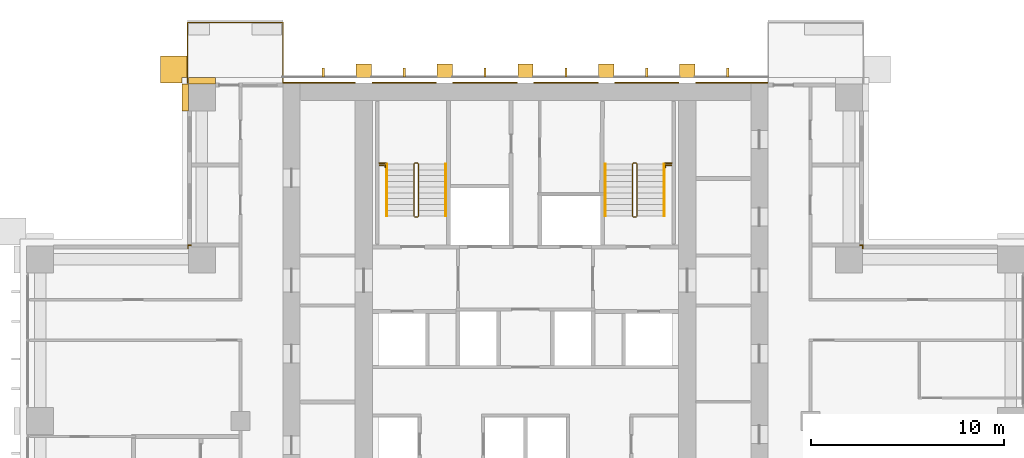
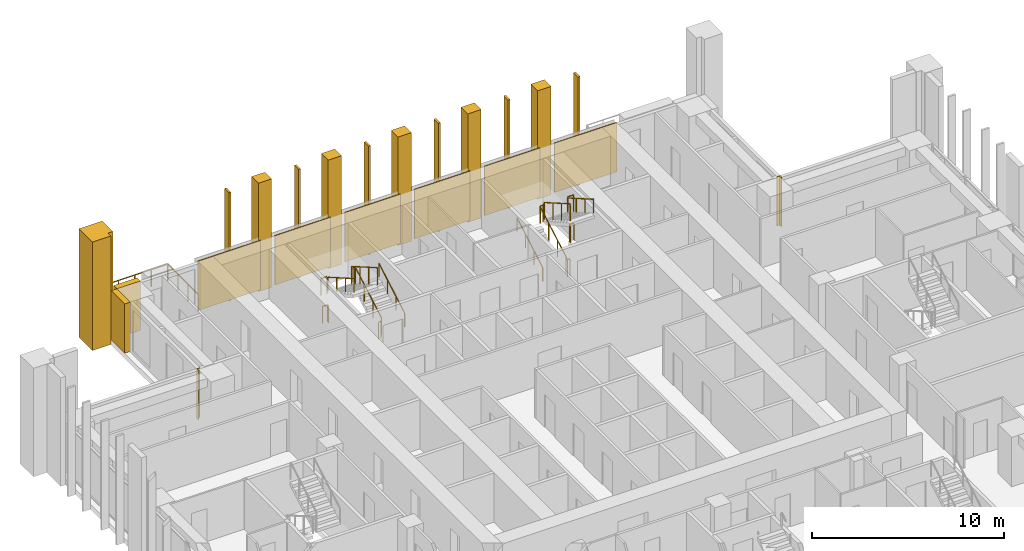
# One storey, part 18 of 19: 22 coverings, 11 railings.
"""IFC4 building model written with IfcOpenShell, lengths in metres."""

from ifc_helpers import new_model, si_unit, direction, frame, origin, origin_2d, place, context, subcontext, project, spatial, polyline, rectangle, outline, extrude, material, layer, layer_set, type_object, element, save


model = new_model("IFC4")

# Units and contexts
model_context = context("Model", 3, precision=1e-05, world=origin(), true_north=direction((0.0, 1.0)))
body_context = subcontext(model_context, "Body", "Model", "MODEL_VIEW")
ifc_project = project(units=[si_unit("LENGTHUNIT", "METRE"), si_unit("AREAUNIT", "SQUARE_METRE"), si_unit("VOLUMEUNIT", "CUBIC_METRE"), si_unit("PLANEANGLEUNIT", "RADIAN"), si_unit("MASSUNIT", "GRAM", prefix="KILO")], contexts=[model_context])

# Site, building, storey
site_placement = place(None, origin())
site = spatial("IfcSite", under=ifc_project, at=site_placement, CompositionType="ELEMENT")
building_placement = place(site_placement, origin())
building = spatial("IfcBuilding", under=site, at=building_placement, Name="Vermilion Ogive Tower", CompositionType="ELEMENT")
storey_placement = place(building_placement, frame((0.0, 0.0, 62.10009765625)))
storey = spatial("IfcBuildingStorey", under=building, at=storey_placement, Name="L14", CompositionType="ELEMENT", Elevation=62.10009765625)

# Railing
ifc_material_1 = material(Name="Stainless steel and glass", Category="steel")
railing_type_1 = type_object("IfcRailingType", Name="Balcony guard", PredefinedType="GUARDRAIL", material=ifc_material_1)
railing_1_placement = place(storey_placement, frame((-12.60009765625, 21.75, -0.0400390625)))
element("IfcRailing", 1, at=railing_1_placement, inside=storey, type_object=railing_type_1, Name="Guard N201", PredefinedType="GUARDRAIL", context=body_context, shape_type="SweptSolid", body=[
    extrude(rectangle(XDim=0.048095703125, YDim=0.048095703125, at=origin_2d()), frame((0.0, 0.0, 1.076171875), z_axis=(0.0, 1.0, 0.0), x_axis=(-1.0, 0.0, 0.0)), (0.0, 0.0, 1.0), 3.159912109375),
    extrude(rectangle(XDim=0.048095703125, YDim=0.048095703125, at=origin_2d()), frame((0.0, 3.159912109375, 1.076171875), z_axis=(-1.0, 0.0, 0.0), x_axis=(0.0, -1.0, 0.0)), (0.0, 0.0, 1.0), 4.949951171875),
    extrude(rectangle(XDim=0.048095703125, YDim=0.048095703125, at=origin_2d()), frame((-4.949951171875, 3.159912109375, 1.076171875), z_axis=(0.0, -1.0, 0.0), x_axis=(1.0, 0.0, 0.0)), (0.0, 0.0, 1.0), 3.159912109375),
    extrude(rectangle(XDim=0.0419921875, YDim=0.0419921875, at=origin_2d()), origin(), (0.0, 0.0, 1.0), 1.052001953125),
    extrude(rectangle(XDim=0.0419921875, YDim=0.0419921875, at=origin_2d()), frame((0.0, 1.05322265625, 0.0)), (0.0, 0.0, 1.0), 1.052001953125),
    extrude(rectangle(XDim=0.0419921875, YDim=0.0419921875, at=origin_2d()), frame((0.0, 2.106689453125, 0.0)), (0.0, 0.0, 1.0), 1.052001953125),
    extrude(rectangle(XDim=0.0419921875, YDim=0.0419921875, at=origin_2d()), frame((0.0, 3.159912109375, 0.0)), (0.0, 0.0, 1.0), 1.052001953125),
    extrude(rectangle(XDim=0.0419921875, YDim=0.0419921875, at=origin_2d()), frame((-0.989990234375, 3.159912109375, 0.0)), (0.0, 0.0, 1.0), 1.052001953125),
    extrude(rectangle(XDim=0.0419921875, YDim=0.0419921875, at=origin_2d()), frame((-1.97998046875, 3.159912109375, 0.0)), (0.0, 0.0, 1.0), 1.052001953125),
    extrude(rectangle(XDim=0.0419921875, YDim=0.0419921875, at=origin_2d()), frame((-2.969970703125, 3.159912109375, 0.0)), (0.0, 0.0, 1.0), 1.052001953125),
    extrude(rectangle(XDim=0.0419921875, YDim=0.0419921875, at=origin_2d()), frame((-3.9599609375, 3.159912109375, 0.0)), (0.0, 0.0, 1.0), 1.052001953125),
    extrude(rectangle(XDim=0.0419921875, YDim=0.0419921875, at=origin_2d()), frame((-4.949951171875, 3.159912109375, 0.0)), (0.0, 0.0, 1.0), 1.052001953125),
    extrude(rectangle(XDim=0.0419921875, YDim=0.0419921875, at=origin_2d()), frame((-4.949951171875, 2.106689453125, 0.0)), (0.0, 0.0, 1.0), 1.052001953125),
    extrude(rectangle(XDim=0.0419921875, YDim=0.0419921875, at=origin_2d()), frame((-4.949951171875, 1.05322265625, 0.0)), (0.0, 0.0, 1.0), 1.052001953125),
    extrude(rectangle(XDim=0.0419921875, YDim=0.0419921875, at=origin_2d()), frame((-4.949951171875, 0.0, 0.0)), (0.0, 0.0, 1.0), 1.052001953125),
])

# Coverings
ifc_material_2 = material(Name="Glazed ceramic screen")
ifc_layer = layer(ifc_material_2, 0.14990234375)
ifc_layer_set = layer_set([ifc_layer], Name="Ceramic solar screen fin")
covering_type_1 = type_object("IfcCoveringType", Name="Ceramic solar screen fin", PredefinedType="CLADDING", material=ifc_layer_set)
covering_1_placement = place(storey_placement, frame((0.0, 0.0, -0.320068359375)))
element("IfcCovering", 2, at=covering_1_placement, inside=storey, type_object=covering_type_1, Name="Solar screen blade N1", PredefinedType="CLADDING", context=body_context, shape_type="SweptSolid", body=[
    extrude(outline(polyline([(-10.56005859375, 22.08203125), (-10.43994140625, 22.08203125), (-10.43994140625, 22.531982421875), (-10.56005859375, 22.531982421875), (-10.56005859375, 22.08203125)])), origin(), (0.0, 0.0, 1.0), 6.89990234375),
])
covering_2_placement = place(storey_placement, frame((0.0, 0.0, -0.320068359375)))
element("IfcCovering", 3, at=covering_2_placement, inside=storey, type_object=covering_type_1, Name="Solar screen blade N2", PredefinedType="CLADDING", context=body_context, shape_type="SweptSolid", body=[
    extrude(outline(polyline([(-6.360107421875, 22.08203125), (-6.239990234375, 22.08203125), (-6.239990234375, 22.531982421875), (-6.360107421875, 22.531982421875), (-6.360107421875, 22.08203125)])), origin(), (0.0, 0.0, 1.0), 6.89990234375),
])
covering_3_placement = place(storey_placement, frame((0.0, 0.0, -0.320068359375)))
element("IfcCovering", 4, at=covering_3_placement, inside=storey, type_object=covering_type_1, Name="Solar screen blade N3", PredefinedType="CLADDING", context=body_context, shape_type="SweptSolid", body=[
    extrude(outline(polyline([(-2.159912109375, 22.08203125), (-2.0400390625, 22.08203125), (-2.0400390625, 22.531982421875), (-2.159912109375, 22.531982421875), (-2.159912109375, 22.08203125)])), origin(), (0.0, 0.0, 1.0), 6.89990234375),
])
covering_4_placement = place(storey_placement, frame((0.0, 0.0, -0.320068359375)))
element("IfcCovering", 5, at=covering_4_placement, inside=storey, type_object=covering_type_1, Name="Solar screen blade N4", PredefinedType="CLADDING", context=body_context, shape_type="SweptSolid", body=[
    extrude(outline(polyline([(2.0400390625, 22.08203125), (2.159912109375, 22.08203125), (2.159912109375, 22.531982421875), (2.0400390625, 22.531982421875), (2.0400390625, 22.08203125)])), origin(), (0.0, 0.0, 1.0), 6.89990234375),
])
covering_5_placement = place(storey_placement, frame((0.0, 0.0, -0.320068359375)))
element("IfcCovering", 6, at=covering_5_placement, inside=storey, type_object=covering_type_1, Name="Solar screen blade N5", PredefinedType="CLADDING", context=body_context, shape_type="SweptSolid", body=[
    extrude(outline(polyline([(6.239990234375, 22.08203125), (6.360107421875, 22.08203125), (6.360107421875, 22.531982421875), (6.239990234375, 22.531982421875), (6.239990234375, 22.08203125)])), origin(), (0.0, 0.0, 1.0), 6.89990234375),
])
covering_6_placement = place(storey_placement, frame((0.0, 0.0, -0.320068359375)))
element("IfcCovering", 7, at=covering_6_placement, inside=storey, type_object=covering_type_1, Name="Solar screen blade N6", PredefinedType="CLADDING", context=body_context, shape_type="SweptSolid", body=[
    extrude(outline(polyline([(10.43994140625, 22.08203125), (10.56005859375, 22.08203125), (10.56005859375, 22.531982421875), (10.43994140625, 22.531982421875), (10.43994140625, 22.08203125)])), origin(), (0.0, 0.0, 1.0), 6.89990234375),
])

# Railings
ifc_material_3 = material(Name="Steel S355 painted", Category="steel")
railing_type_2 = type_object("IfcRailingType", Name="Stair guard 1100", PredefinedType="GUARDRAIL", material=ifc_material_3)
railing_2_placement = place(storey_placement, frame((-5.75, 14.800048828125, 0.0)))
element("IfcRailing", 8, at=railing_2_placement, inside=storey, type_object=railing_type_2, Name="L14 ST1 stair guard 4", PredefinedType="GUARDRAIL", context=body_context, shape_type="SweptSolid", body=[
    extrude(rectangle(XDim=0.048095703125, YDim=0.048095703125, at=origin_2d()), frame((0.0, 0.0, 1.076171875), z_axis=(1.0, 0.0, 0.0), x_axis=(0.0, 1.0, 0.0)), (0.0, 0.0, 1.0), 0.14990234375),
    extrude(rectangle(XDim=0.048095703125, YDim=0.048095703125, at=origin_2d()), frame((0.14990234375, 0.0, 1.076171875), z_axis=(0.268603158521, 0.268603158521, 0.925043072762), x_axis=(-0.707106781187, 0.707106781187, 0.0)), (0.0, 0.0, 1.0), 0.186279296875),
    extrude(rectangle(XDim=0.048095703125, YDim=0.048095703125, at=origin_2d()), frame((0.199951171875, 0.050048828125, 1.24853515625), z_axis=(0.0, 0.866903762492, 0.498475542607), x_axis=(-1.0, 0.0, 0.0)), (0.0, 0.0, 1.0), 3.114501953125),
    extrude(rectangle(XDim=0.048095703125, YDim=0.048095703125, at=origin_2d()), frame((0.199951171875, 2.75, 2.80078125), z_axis=(-0.707106781187, 0.707106781187, 0.0), x_axis=(-0.707106781187, -0.707106781187, 0.0)), (0.0, 0.0, 1.0), 0.07080078125),
    extrude(rectangle(XDim=0.048095703125, YDim=0.048095703125, at=origin_2d()), frame((0.14990234375, 2.800048828125, 2.80078125), z_axis=(-1.0, 0.0, 0.0), x_axis=(0.0, -1.0, 0.0)), (0.0, 0.0, 1.0), 0.14990234375),
    extrude(rectangle(XDim=0.048095703125, YDim=0.048095703125, at=origin_2d()), frame((0.0, 2.800048828125, 2.80078125), z_axis=(-0.268277960024, -0.268277960024, 0.925231793839), x_axis=(0.707106781187, -0.707106781187, 0.0)), (0.0, 0.0, 1.0), 0.1865234375),
    extrude(rectangle(XDim=0.048095703125, YDim=0.048095703125, at=origin_2d()), frame((-0.050048828125, 2.75, 2.9736328125), z_axis=(0.0, -0.866903762492, 0.498475542607), x_axis=(1.0, 0.0, 0.0)), (0.0, 0.0, 1.0), 3.114501953125),
    extrude(rectangle(XDim=0.0419921875, YDim=0.0419921875, at=origin_2d()), origin(), (0.0, 0.0, 1.0), 1.052001953125),
    extrude(rectangle(XDim=0.0419921875, YDim=0.0419921875, at=origin_2d()), frame((0.14990234375, 0.0, 0.0)), (0.0, 0.0, 1.0), 1.052001953125),
    extrude(rectangle(XDim=0.0419921875, YDim=0.0419921875, at=origin_2d()), frame((0.199951171875, 0.050048828125, 0.17236328125)), (0.0, 0.0, 1.0), 1.052001953125),
    extrude(rectangle(XDim=0.0419921875, YDim=0.0419921875, at=origin_2d()), frame((0.199951171875, 0.949951171875, 0.68994140625)), (0.0, 0.0, 1.0), 1.052001953125),
    extrude(rectangle(XDim=0.0419921875, YDim=0.0419921875, at=origin_2d()), frame((0.199951171875, 1.85009765625, 1.207275390625)), (0.0, 0.0, 1.0), 1.052001953125),
    extrude(rectangle(XDim=0.0419921875, YDim=0.0419921875, at=origin_2d()), frame((0.199951171875, 2.75, 1.724853515625)), (0.0, 0.0, 1.0), 1.052001953125),
    extrude(rectangle(XDim=0.0419921875, YDim=0.0419921875, at=origin_2d()), frame((0.14990234375, 2.800048828125, 1.724853515625)), (0.0, 0.0, 1.0), 1.052001953125),
    extrude(rectangle(XDim=0.0419921875, YDim=0.0419921875, at=origin_2d()), frame((0.0, 2.800048828125, 1.724853515625)), (0.0, 0.0, 1.0), 1.052001953125),
    extrude(rectangle(XDim=0.0419921875, YDim=0.0419921875, at=origin_2d()), frame((-0.050048828125, 2.75, 1.8974609375)), (0.0, 0.0, 1.0), 1.052001953125),
    extrude(rectangle(XDim=0.0419921875, YDim=0.0419921875, at=origin_2d()), frame((-0.050048828125, 1.85009765625, 2.4150390625)), (0.0, 0.0, 1.0), 1.052001953125),
    extrude(rectangle(XDim=0.0419921875, YDim=0.0419921875, at=origin_2d()), frame((-0.050048828125, 0.949951171875, 2.932373046875)), (0.0, 0.0, 1.0), 1.052001953125),
    extrude(rectangle(XDim=0.0419921875, YDim=0.0419921875, at=origin_2d()), frame((-0.050048828125, 0.050048828125, 3.449951171875)), (0.0, 0.0, 1.0), 1.052001953125),
])
railing_3_placement = place(storey_placement, frame((5.75, 14.800048828125, 0.0)))
element("IfcRailing", 9, at=railing_3_placement, inside=storey, type_object=railing_type_2, Name="L14 ST2 stair guard 4", PredefinedType="GUARDRAIL", context=body_context, shape_type="SweptSolid", body=[
    extrude(rectangle(XDim=0.048095703125, YDim=0.048095703125, at=origin_2d()), frame((0.0, 0.0, 1.076171875), z_axis=(-1.0, 0.0, 0.0), x_axis=(0.0, -1.0, 0.0)), (0.0, 0.0, 1.0), 0.14990234375),
    extrude(rectangle(XDim=0.048095703125, YDim=0.048095703125, at=origin_2d()), frame((-0.14990234375, 0.0, 1.076171875), z_axis=(-0.268603158521, 0.268603158521, 0.925043072762), x_axis=(-0.707106781187, -0.707106781187, 0.0)), (0.0, 0.0, 1.0), 0.186279296875),
    extrude(rectangle(XDim=0.048095703125, YDim=0.048095703125, at=origin_2d()), frame((-0.199951171875, 0.050048828125, 1.24853515625), z_axis=(0.0, 0.866903762492, 0.498475542607), x_axis=(-1.0, 0.0, 0.0)), (0.0, 0.0, 1.0), 3.114501953125),
    extrude(rectangle(XDim=0.048095703125, YDim=0.048095703125, at=origin_2d()), frame((-0.199951171875, 2.75, 2.80078125), z_axis=(0.707106781187, 0.707106781187, 0.0), x_axis=(-0.707106781187, 0.707106781187, 0.0)), (0.0, 0.0, 1.0), 0.07080078125),
    extrude(rectangle(XDim=0.048095703125, YDim=0.048095703125, at=origin_2d()), frame((-0.14990234375, 2.800048828125, 2.80078125), z_axis=(1.0, 0.0, 0.0), x_axis=(0.0, 1.0, 0.0)), (0.0, 0.0, 1.0), 0.14990234375),
    extrude(rectangle(XDim=0.048095703125, YDim=0.048095703125, at=origin_2d()), frame((0.0, 2.800048828125, 2.80078125), z_axis=(0.268277960024, -0.268277960024, 0.925231793839), x_axis=(0.707106781187, 0.707106781187, 0.0)), (0.0, 0.0, 1.0), 0.1865234375),
    extrude(rectangle(XDim=0.048095703125, YDim=0.048095703125, at=origin_2d()), frame((0.050048828125, 2.75, 2.9736328125), z_axis=(0.0, -0.866903762492, 0.498475542607), x_axis=(1.0, 0.0, 0.0)), (0.0, 0.0, 1.0), 3.114501953125),
    extrude(rectangle(XDim=0.0419921875, YDim=0.0419921875, at=origin_2d()), origin(), (0.0, 0.0, 1.0), 1.052001953125),
    extrude(rectangle(XDim=0.0419921875, YDim=0.0419921875, at=origin_2d()), frame((-0.14990234375, 0.0, 0.0)), (0.0, 0.0, 1.0), 1.052001953125),
    extrude(rectangle(XDim=0.0419921875, YDim=0.0419921875, at=origin_2d()), frame((-0.199951171875, 0.050048828125, 0.17236328125)), (0.0, 0.0, 1.0), 1.052001953125),
    extrude(rectangle(XDim=0.0419921875, YDim=0.0419921875, at=origin_2d()), frame((-0.199951171875, 0.949951171875, 0.68994140625)), (0.0, 0.0, 1.0), 1.052001953125),
    extrude(rectangle(XDim=0.0419921875, YDim=0.0419921875, at=origin_2d()), frame((-0.199951171875, 1.85009765625, 1.207275390625)), (0.0, 0.0, 1.0), 1.052001953125),
    extrude(rectangle(XDim=0.0419921875, YDim=0.0419921875, at=origin_2d()), frame((-0.199951171875, 2.75, 1.724853515625)), (0.0, 0.0, 1.0), 1.052001953125),
    extrude(rectangle(XDim=0.0419921875, YDim=0.0419921875, at=origin_2d()), frame((-0.14990234375, 2.800048828125, 1.724853515625)), (0.0, 0.0, 1.0), 1.052001953125),
    extrude(rectangle(XDim=0.0419921875, YDim=0.0419921875, at=origin_2d()), frame((0.0, 2.800048828125, 1.724853515625)), (0.0, 0.0, 1.0), 1.052001953125),
    extrude(rectangle(XDim=0.0419921875, YDim=0.0419921875, at=origin_2d()), frame((0.050048828125, 2.75, 1.8974609375)), (0.0, 0.0, 1.0), 1.052001953125),
    extrude(rectangle(XDim=0.0419921875, YDim=0.0419921875, at=origin_2d()), frame((0.050048828125, 1.85009765625, 2.4150390625)), (0.0, 0.0, 1.0), 1.052001953125),
    extrude(rectangle(XDim=0.0419921875, YDim=0.0419921875, at=origin_2d()), frame((0.050048828125, 0.949951171875, 2.932373046875)), (0.0, 0.0, 1.0), 1.052001953125),
    extrude(rectangle(XDim=0.0419921875, YDim=0.0419921875, at=origin_2d()), frame((0.050048828125, 0.050048828125, 3.449951171875)), (0.0, 0.0, 1.0), 1.052001953125),
])
for number, where, name in (
    (10, (-7.60009765625, 17.60009765625, 1.724853515625), "L14 landing guard"),
    (11, (7.25, 17.60009765625, 1.724853515625), "L14 landing guard"),
):
    element("IfcRailing", number, at=place(storey_placement, frame(where)), inside=storey, type_object=railing_type_2, Name=name, PredefinedType="GUARDRAIL", context=body_context, shape_type="SweptSolid", body=[
        extrude(rectangle(XDim=0.048095703125, YDim=0.048095703125, at=origin_2d()), frame((0.0, 0.0, 1.076171875), z_axis=(1.0, 0.0, 0.0), x_axis=(0.0, 1.0, 0.0)), (0.0, 0.0, 1.0), 0.35009765625),
        extrude(rectangle(XDim=0.0419921875, YDim=0.0419921875, at=origin_2d()), origin(), (0.0, 0.0, 1.0), 1.052001953125),
        extrude(rectangle(XDim=0.0419921875, YDim=0.0419921875, at=origin_2d()), frame((0.35009765625, 0.0, 0.0)), (0.0, 0.0, 1.0), 1.052001953125),
    ])
railing_4_placement = place(storey_placement, frame((-7.56298828125, 17.49462890625, 0.0)))
element("IfcRailing", 12, at=railing_4_placement, inside=storey, type_object=railing_type_2, Name="L14 stair opening guard", PredefinedType="GUARDRAIL", context=body_context, shape_type="SweptSolid", body=[
    extrude(rectangle(XDim=0.048095703125, YDim=0.048095703125, at=origin_2d()), frame((0.0, 0.0, 1.076171875), z_axis=(1.0, 0.0, 0.0), x_axis=(0.0, 1.0, 0.0)), (0.0, 0.0, 1.0), 0.2900390625),
    extrude(rectangle(XDim=0.048095703125, YDim=0.048095703125, at=origin_2d()), frame((0.2900390625, 0.0, 1.076171875), z_axis=(0.0, -1.0, 0.0), x_axis=(1.0, 0.0, 0.0)), (0.0, 0.0, 1.0), 0.1201171875),
    extrude(rectangle(XDim=0.0419921875, YDim=0.0419921875, at=origin_2d()), origin(), (0.0, 0.0, 1.0), 1.052001953125),
    extrude(rectangle(XDim=0.0419921875, YDim=0.0419921875, at=origin_2d()), frame((0.2900390625, 0.0, 0.0)), (0.0, 0.0, 1.0), 1.052001953125),
    extrude(rectangle(XDim=0.0419921875, YDim=0.0419921875, at=origin_2d()), frame((0.2900390625, -0.1201171875, 0.0)), (0.0, 0.0, 1.0), 1.052001953125),
])
railing_5_placement = place(storey_placement, frame((7.27294921875, 17.37451171875, 0.0)))
element("IfcRailing", 13, at=railing_5_placement, inside=storey, type_object=railing_type_2, Name="L14 stair opening guard", PredefinedType="GUARDRAIL", context=body_context, shape_type="SweptSolid", body=[
    extrude(rectangle(XDim=0.048095703125, YDim=0.048095703125, at=origin_2d()), frame((0.0, 0.0, 1.076171875), z_axis=(0.0, 1.0, 0.0), x_axis=(-1.0, 0.0, 0.0)), (0.0, 0.0, 1.0), 0.1201171875),
    extrude(rectangle(XDim=0.048095703125, YDim=0.048095703125, at=origin_2d()), frame((0.0, 0.1201171875, 1.076171875), z_axis=(1.0, 0.0, 0.0), x_axis=(0.0, 1.0, 0.0)), (0.0, 0.0, 1.0), 0.2900390625),
    extrude(rectangle(XDim=0.0419921875, YDim=0.0419921875, at=origin_2d()), origin(), (0.0, 0.0, 1.0), 1.052001953125),
    extrude(rectangle(XDim=0.0419921875, YDim=0.0419921875, at=origin_2d()), frame((0.0, 0.1201171875, 0.0)), (0.0, 0.0, 1.0), 1.052001953125),
    extrude(rectangle(XDim=0.0419921875, YDim=0.0419921875, at=origin_2d()), frame((0.2900390625, 0.1201171875, 0.0)), (0.0, 0.0, 1.0), 1.052001953125),
])
ifc_material_4 = material(Name="Stainless steel", Category="steel")
railing_type_3 = type_object("IfcRailingType", Name="Stair handrail 900", PredefinedType="HANDRAIL", material=ifc_material_4)
railing_6_placement = place(storey_placement, frame((-4.14990234375, 14.85009765625, 0.17236328125)))
element("IfcRailing", 14, at=railing_6_placement, inside=storey, type_object=railing_type_3, Name="L14 ST1 stair handrail 1", PredefinedType="HANDRAIL", context=body_context, shape_type="SweptSolid", body=[
    extrude(rectangle(XDim=0.048095703125, YDim=0.048095703125, at=origin_2d()), frame((0.0, 0.0, 0.8759765625), z_axis=(0.0, 0.866903762492, 0.498475542607), x_axis=(-1.0, 0.0, 0.0)), (0.0, 0.0, 1.0), 3.114501953125),
    extrude(rectangle(XDim=0.0419921875, YDim=0.0419921875, at=origin_2d()), origin(), (0.0, 0.0, 1.0), 0.851806640625),
    extrude(rectangle(XDim=0.0419921875, YDim=0.0419921875, at=origin_2d()), frame((0.0, 0.89990234375, 0.517578125)), (0.0, 0.0, 1.0), 0.851806640625),
    extrude(rectangle(XDim=0.0419921875, YDim=0.0419921875, at=origin_2d()), frame((0.0, 1.800048828125, 1.034912109375)), (0.0, 0.0, 1.0), 0.851806640625),
    extrude(rectangle(XDim=0.0419921875, YDim=0.0419921875, at=origin_2d()), frame((0.0, 2.699951171875, 1.552490234375)), (0.0, 0.0, 1.0), 0.851806640625),
])
railing_7_placement = place(storey_placement, frame((-7.199951171875, 17.550048828125, 1.8974609375)))
element("IfcRailing", 15, at=railing_7_placement, inside=storey, type_object=railing_type_3, Name="L14 ST1 stair handrail 2", PredefinedType="HANDRAIL", context=body_context, shape_type="SweptSolid", body=[
    extrude(rectangle(XDim=0.048095703125, YDim=0.048095703125, at=origin_2d()), frame((0.0, 0.0, 0.8759765625), z_axis=(0.0, -0.866903762492, 0.498475542607), x_axis=(1.0, 0.0, 0.0)), (0.0, 0.0, 1.0), 3.114501953125),
    extrude(rectangle(XDim=0.0419921875, YDim=0.0419921875, at=origin_2d()), origin(), (0.0, 0.0, 1.0), 0.851806640625),
    extrude(rectangle(XDim=0.0419921875, YDim=0.0419921875, at=origin_2d()), frame((0.0, -0.89990234375, 0.517578125)), (0.0, 0.0, 1.0), 0.851806640625),
    extrude(rectangle(XDim=0.0419921875, YDim=0.0419921875, at=origin_2d()), frame((0.0, -1.800048828125, 1.034912109375)), (0.0, 0.0, 1.0), 0.851806640625),
    extrude(rectangle(XDim=0.0419921875, YDim=0.0419921875, at=origin_2d()), frame((0.0, -2.699951171875, 1.552490234375)), (0.0, 0.0, 1.0), 0.851806640625),
])
railing_8_placement = place(storey_placement, frame((4.14990234375, 14.85009765625, 0.17236328125)))
element("IfcRailing", 16, at=railing_8_placement, inside=storey, type_object=railing_type_3, Name="L14 ST2 stair handrail 1", PredefinedType="HANDRAIL", context=body_context, shape_type="SweptSolid", body=[
    extrude(rectangle(XDim=0.048095703125, YDim=0.048095703125, at=origin_2d()), frame((0.0, 0.0, 0.8759765625), z_axis=(0.0, 0.866903762492, 0.498475542607), x_axis=(-1.0, 0.0, 0.0)), (0.0, 0.0, 1.0), 3.114501953125),
    extrude(rectangle(XDim=0.0419921875, YDim=0.0419921875, at=origin_2d()), origin(), (0.0, 0.0, 1.0), 0.851806640625),
    extrude(rectangle(XDim=0.0419921875, YDim=0.0419921875, at=origin_2d()), frame((0.0, 0.89990234375, 0.517578125)), (0.0, 0.0, 1.0), 0.851806640625),
    extrude(rectangle(XDim=0.0419921875, YDim=0.0419921875, at=origin_2d()), frame((0.0, 1.800048828125, 1.034912109375)), (0.0, 0.0, 1.0), 0.851806640625),
    extrude(rectangle(XDim=0.0419921875, YDim=0.0419921875, at=origin_2d()), frame((0.0, 2.699951171875, 1.552490234375)), (0.0, 0.0, 1.0), 0.851806640625),
])
railing_9_placement = place(storey_placement, frame((7.199951171875, 17.550048828125, 1.8974609375)))
element("IfcRailing", 17, at=railing_9_placement, inside=storey, type_object=railing_type_3, Name="L14 ST2 stair handrail 2", PredefinedType="HANDRAIL", context=body_context, shape_type="SweptSolid", body=[
    extrude(rectangle(XDim=0.048095703125, YDim=0.048095703125, at=origin_2d()), frame((0.0, 0.0, 0.8759765625), z_axis=(0.0, -0.866903762492, 0.498475542607), x_axis=(1.0, 0.0, 0.0)), (0.0, 0.0, 1.0), 3.114501953125),
    extrude(rectangle(XDim=0.0419921875, YDim=0.0419921875, at=origin_2d()), origin(), (0.0, 0.0, 1.0), 0.851806640625),
    extrude(rectangle(XDim=0.0419921875, YDim=0.0419921875, at=origin_2d()), frame((0.0, -0.89990234375, 0.517578125)), (0.0, 0.0, 1.0), 0.851806640625),
    extrude(rectangle(XDim=0.0419921875, YDim=0.0419921875, at=origin_2d()), frame((0.0, -1.800048828125, 1.034912109375)), (0.0, 0.0, 1.0), 0.851806640625),
    extrude(rectangle(XDim=0.0419921875, YDim=0.0419921875, at=origin_2d()), frame((0.0, -2.699951171875, 1.552490234375)), (0.0, 0.0, 1.0), 0.851806640625),
])

# Coverings
ifc_material_5 = material(Name="Stone cladding", Category="masonry")
covering_type_2 = type_object("IfcCoveringType", Name="Stone buttress pier", PredefinedType="CLADDING", material=ifc_material_5)
covering_7_placement = place(storey_placement, frame((0.0, 0.0, -0.320068359375)))
element("IfcCovering", 18, at=covering_7_placement, inside=storey, type_object=covering_type_2, Name="Stone buttress pier N1", PredefinedType="CLADDING", context=body_context, shape_type="SweptSolid", body=[
    extrude(outline(polyline([(-8.0, 22.75), (-8.0, 22.050048828125), (-8.800048828125, 22.050048828125), (-8.800048828125, 22.75), (-8.0, 22.75)])), origin(), (0.0, 0.0, 1.0), 6.89990234375),
])
covering_8_placement = place(storey_placement, frame((0.0, 0.0, -0.320068359375)))
element("IfcCovering", 19, at=covering_8_placement, inside=storey, type_object=covering_type_2, Name="Stone buttress pier N2", PredefinedType="CLADDING", context=body_context, shape_type="SweptSolid", body=[
    extrude(outline(polyline([(-3.800048828125, 22.75), (-3.800048828125, 22.050048828125), (-4.60009765625, 22.050048828125), (-4.60009765625, 22.75), (-3.800048828125, 22.75)])), origin(), (0.0, 0.0, 1.0), 6.89990234375),
])
covering_9_placement = place(storey_placement, frame((0.0, 0.0, -0.320068359375)))
element("IfcCovering", 20, at=covering_9_placement, inside=storey, type_object=covering_type_2, Name="Stone buttress pier N3", PredefinedType="CLADDING", context=body_context, shape_type="SweptSolid", body=[
    extrude(outline(polyline([(0.39990234375, 22.75), (0.39990234375, 22.050048828125), (-0.39990234375, 22.050048828125), (-0.39990234375, 22.75), (0.39990234375, 22.75)])), origin(), (0.0, 0.0, 1.0), 6.89990234375),
])
covering_10_placement = place(storey_placement, frame((0.0, 0.0, -0.320068359375)))
element("IfcCovering", 21, at=covering_10_placement, inside=storey, type_object=covering_type_2, Name="Stone buttress pier N4", PredefinedType="CLADDING", context=body_context, shape_type="SweptSolid", body=[
    extrude(outline(polyline([(4.60009765625, 22.75), (4.60009765625, 22.050048828125), (3.800048828125, 22.050048828125), (3.800048828125, 22.75), (4.60009765625, 22.75)])), origin(), (0.0, 0.0, 1.0), 6.89990234375),
])
covering_11_placement = place(storey_placement, frame((0.0, 0.0, -0.320068359375)))
element("IfcCovering", 22, at=covering_11_placement, inside=storey, type_object=covering_type_2, Name="Stone buttress pier N5", PredefinedType="CLADDING", context=body_context, shape_type="SweptSolid", body=[
    extrude(outline(polyline([(8.800048828125, 22.75), (8.800048828125, 22.050048828125), (8.0, 22.050048828125), (8.0, 22.75), (8.800048828125, 22.75)])), origin(), (0.0, 0.0, 1.0), 6.89990234375),
])
ifc_material_6 = material(Name="Stone cladding", Category="masonry")
covering_type_3 = type_object("IfcCoveringType", Name="Stone cladding panel", PredefinedType="CLADDING", material=ifc_material_6)
covering_12_placement = place(storey_placement, origin())
element("IfcCovering", 23, at=covering_12_placement, inside=storey, type_object=covering_type_3, Name="Stone cladding panel N1", PredefinedType="CLADDING", context=body_context, shape_type="SweptSolid", body=[
    extrude(outline(polyline([(-12.590087890625, 21.75), (-8.830078125, 21.75), (-8.830078125, 21.81005859375), (-12.590087890625, 21.81005859375), (-12.590087890625, 21.75)])), origin(), (0.0, 0.0, 1.0), 3.1298828125),
])
covering_13_placement = place(storey_placement, origin())
element("IfcCovering", 24, at=covering_13_placement, inside=storey, type_object=covering_type_3, Name="Stone cladding panel N2", PredefinedType="CLADDING", context=body_context, shape_type="SweptSolid", body=[
    extrude(outline(polyline([(-7.969970703125, 21.75), (-4.6298828125, 21.75), (-4.6298828125, 21.81005859375), (-7.969970703125, 21.81005859375), (-7.969970703125, 21.75)])), origin(), (0.0, 0.0, 1.0), 3.1298828125),
])
covering_14_placement = place(storey_placement, origin())
element("IfcCovering", 25, at=covering_14_placement, inside=storey, type_object=covering_type_3, Name="Stone cladding panel N3", PredefinedType="CLADDING", context=body_context, shape_type="SweptSolid", body=[
    extrude(outline(polyline([(-3.77001953125, 21.75), (-0.429931640625, 21.75), (-0.429931640625, 21.81005859375), (-3.77001953125, 21.81005859375), (-3.77001953125, 21.75)])), origin(), (0.0, 0.0, 1.0), 3.1298828125),
])
covering_15_placement = place(storey_placement, origin())
element("IfcCovering", 26, at=covering_15_placement, inside=storey, type_object=covering_type_3, Name="Stone cladding panel N4", PredefinedType="CLADDING", context=body_context, shape_type="SweptSolid", body=[
    extrude(outline(polyline([(0.429931640625, 21.75), (3.77001953125, 21.75), (3.77001953125, 21.81005859375), (0.429931640625, 21.81005859375), (0.429931640625, 21.75)])), origin(), (0.0, 0.0, 1.0), 3.1298828125),
])
covering_16_placement = place(storey_placement, origin())
element("IfcCovering", 27, at=covering_16_placement, inside=storey, type_object=covering_type_3, Name="Stone cladding panel N5", PredefinedType="CLADDING", context=body_context, shape_type="SweptSolid", body=[
    extrude(outline(polyline([(4.6298828125, 21.75), (7.969970703125, 21.75), (7.969970703125, 21.81005859375), (4.6298828125, 21.81005859375), (4.6298828125, 21.75)])), origin(), (0.0, 0.0, 1.0), 3.1298828125),
])
covering_17_placement = place(storey_placement, origin())
element("IfcCovering", 28, at=covering_17_placement, inside=storey, type_object=covering_type_3, Name="Stone cladding panel N6", PredefinedType="CLADDING", context=body_context, shape_type="SweptSolid", body=[
    extrude(outline(polyline([(8.830078125, 21.75), (12.590087890625, 21.75), (12.590087890625, 21.81005859375), (8.830078125, 21.81005859375), (8.830078125, 21.75)])), origin(), (0.0, 0.0, 1.0), 3.1298828125),
])
ifc_material_7 = material(Name="Stone cladding", Category="masonry")
covering_type_4 = type_object("IfcCoveringType", Name="Stone corner buttress", PredefinedType="CLADDING", material=ifc_material_7)
covering_18_placement = place(storey_placement, frame((0.0, 0.0, -0.320068359375)))
element("IfcCovering", 29, at=covering_18_placement, inside=storey, type_object=covering_type_4, Name="Stone corner buttress X51", PredefinedType="CLADDING", context=body_context, shape_type="SweptSolid", body=[
    extrude(outline(polyline([(-17.550048828125, 23.14990234375), (-17.550048828125, 22.050048828125), (-17.85009765625, 22.050048828125), (-17.85009765625, 21.75), (-18.949951171875, 21.75), (-18.949951171875, 23.14990234375), (-17.550048828125, 23.14990234375)])), origin(), (0.0, 0.0, 1.0), 6.89990234375),
])
ifc_material_8 = material(Name="Stone cladding", Category="masonry")
covering_type_5 = type_object("IfcCoveringType", Name="Stone pier", PredefinedType="CLADDING", material=ifc_material_8)
covering_19_placement = place(storey_placement, origin())
element("IfcCovering", 30, at=covering_19_placement, inside=storey, type_object=covering_type_5, Name="Stone corner pier X3E1", PredefinedType="CLADDING", context=body_context, shape_type="SweptSolid", body=[
    extrude(outline(polyline([(17.5, 13.14990234375), (17.5, 13.300048828125), (17.35009765625, 13.300048828125), (17.35009765625, 13.35009765625), (17.550048828125, 13.35009765625), (17.550048828125, 13.14990234375), (17.5, 13.14990234375)])), origin(), (0.0, 0.0, 1.0), 3.1298828125),
])
covering_20_placement = place(storey_placement, origin())
element("IfcCovering", 31, at=covering_20_placement, inside=storey, type_object=covering_type_5, Name="Stone corner pier X5E1", PredefinedType="CLADDING", context=body_context, shape_type="SweptSolid", body=[
    extrude(outline(polyline([(-17.35009765625, 13.300048828125), (-17.5, 13.300048828125), (-17.5, 13.14990234375), (-17.550048828125, 13.14990234375), (-17.550048828125, 13.35009765625), (-17.35009765625, 13.35009765625), (-17.35009765625, 13.300048828125)])), origin(), (0.0, 0.0, 1.0), 3.1298828125),
])
covering_21_placement = place(storey_placement, origin())
element("IfcCovering", 32, at=covering_21_placement, inside=storey, type_object=covering_type_5, Name="Stone pier P-0168+210N2", PredefinedType="CLADDING", context=body_context, shape_type="SweptSolid", body=[
    extrude(outline(polyline([(-17.5, 21.699951171875), (-17.5, 22.050048828125), (-16.10009765625, 22.050048828125), (-16.10009765625, 21.699951171875), (-17.5, 21.699951171875), (-17.5, 21.699951171875)])), origin(), (0.0, 0.0, 1.0), 3.1298828125),
])
covering_22_placement = place(storey_placement, origin())
element("IfcCovering", 33, at=covering_22_placement, inside=storey, type_object=covering_type_5, Name="Stone pier P-0168+210X5", PredefinedType="CLADDING", context=body_context, shape_type="SweptSolid", body=[
    extrude(outline(polyline([(-17.85009765625, 21.699951171875), (-17.5, 21.699951171875), (-17.5, 21.699951171875), (-17.5, 20.300048828125), (-17.85009765625, 20.300048828125), (-17.85009765625, 21.699951171875)])), origin(), (0.0, 0.0, 1.0), 3.1298828125),
])

save(model, "model.ifc")
